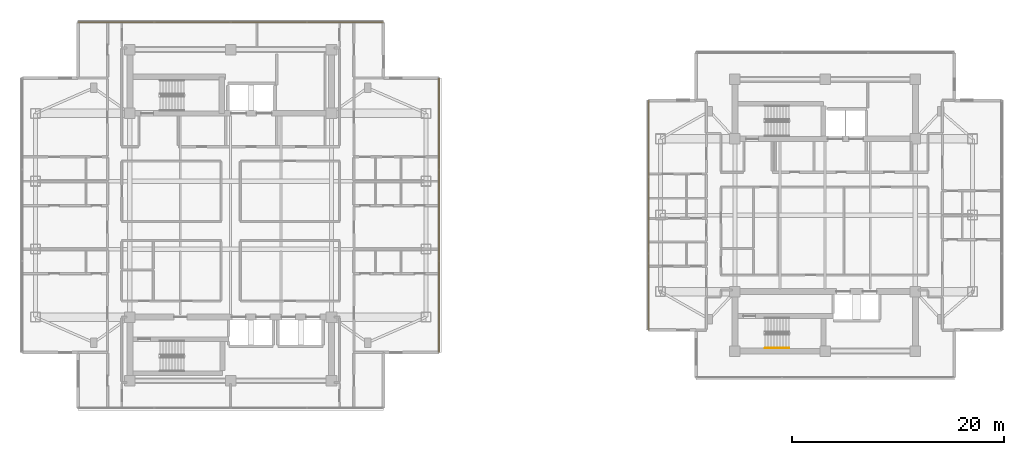
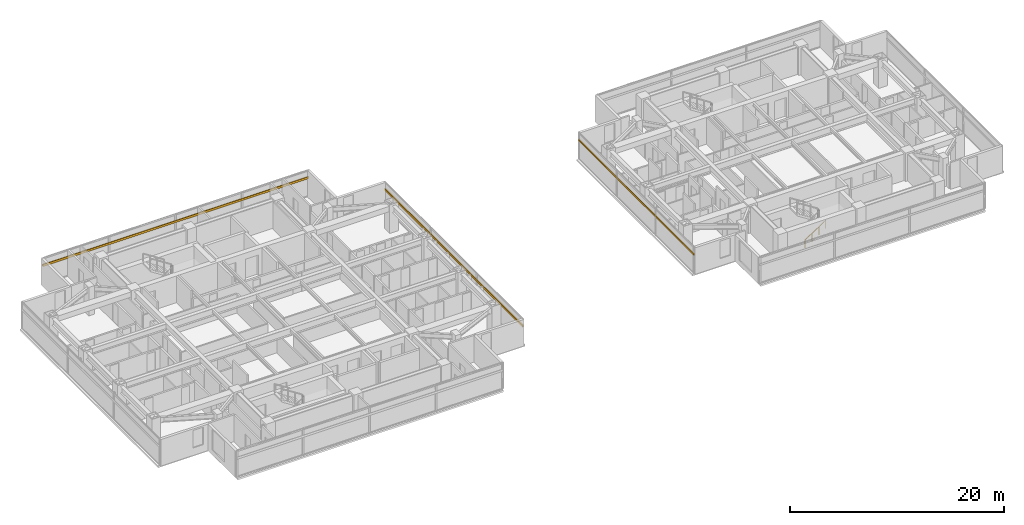
# One storey, part 22 of 24: 3 shading devices, 1 railing.
"""IFC4 building model written with IfcOpenShell, lengths in metres."""

import ifcopenshell
import ifcopenshell.guid

model = None  # the IFC model being written
_history = None  # IfcOwnerHistory: only IFC2X3 demands one
_inside = {}  # id of a spatial element -> (the spatial element, [elements in it])
_under = {}  # id of a project, library or spatial element -> (it, [spatial elements below it])
_declared = {}  # id of a project -> (the project, [libraries it declares])
_typed = {}  # id of a type object -> (the type object, [elements of that type])
_made_of = {}  # id of a material, layer set ... -> (it, [elements and type objects made of it])


def new_model(schema):
    """Start an empty IFC model of exactly this schema.

    Asked for "IFC4X3", IfcOpenShell would pick the latest addendum, in which some entities
    have other attributes; the version numbers below select the first issue.
    IFC2X3 requires an IfcOwnerHistory on every rooted entity: one is made here for all.
    """
    global model, _history
    if schema == "IFC4X3":
        model = ifcopenshell.file(schema_version=(4, 3, 0, 0))
    else:
        model = ifcopenshell.file(schema=schema)
    _inside.clear()
    _under.clear()
    _declared.clear()
    _typed.clear()
    _made_of.clear()
    _history = None
    if model.schema == "IFC2X3":
        org = make("IfcOrganization", Name="unknown")
        user = make(
            "IfcPersonAndOrganization",
            ThePerson=make("IfcPerson", FamilyName="unknown"),
            TheOrganization=org,
        )
        app = make(
            "IfcApplication",
            ApplicationDeveloper=org,
            Version="unknown",
            ApplicationFullName="unknown",
            ApplicationIdentifier="unknown",
        )
        _history = make(
            "IfcOwnerHistory",
            OwningUser=user,
            OwningApplication=app,
            ChangeAction="ADDED",
            CreationDate=0,
        )
    return model


def make(cls, **values):
    """One entity of the class cls with the attributes given. An attribute that is None is left unset."""
    return model.create_entity(
        cls, **{name: value for name, value in values.items() if value is not None}
    )


def rooted(cls, **values):
    """An entity with a GlobalId (a new one), such as an element, a storey or a relation."""
    return make(cls, GlobalId=ifcopenshell.guid.new(), OwnerHistory=_history, **values)


def si_unit(unit_type, name, prefix=None):
    """IfcSIUnit, for example si_unit("LENGTHUNIT", "METRE", prefix="MILLI")."""
    return make("IfcSIUnit", UnitType=unit_type, Prefix=prefix, Name=name)


def assignment(units):
    """IfcUnitAssignment: the units of a project."""
    return None if units is None else make("IfcUnitAssignment", Units=units)


def point(xyz):
    """IfcCartesianPoint."""
    return None if xyz is None else make("IfcCartesianPoint", Coordinates=xyz)


def direction(xyz):
    """IfcDirection."""
    return None if xyz is None else make("IfcDirection", DirectionRatios=xyz)


def frame(location, z_axis=None, x_axis=None):
    """IfcAxis2Placement3D, a coordinate frame: its origin and axes. An axis left out is left unset."""
    return make(
        "IfcAxis2Placement3D",
        Location=point(location),
        Axis=direction(z_axis),
        RefDirection=direction(x_axis),
    )


def frame_2d(location, x_axis=None):
    """IfcAxis2Placement2D, a coordinate frame in the plane: its origin and x axis."""
    return make(
        "IfcAxis2Placement2D", Location=point(location), RefDirection=direction(x_axis)
    )


def origin():
    """The frame at (0, 0, 0) with its axes left unset."""
    return frame((0.0, 0.0, 0.0))


def origin_2d():
    """The frame at (0, 0) in the plane with its x axis left unset."""
    return frame_2d((0.0, 0.0))


def place(relative_to, where):
    """IfcLocalPlacement: puts the frame where relative to a parent placement (None: the world)."""
    return make(
        "IfcLocalPlacement", PlacementRelTo=relative_to, RelativePlacement=where
    )


def context(
    kind, dimensions, precision=None, world=None, true_north=None, identifier=None
):
    """IfcGeometricRepresentationContext, for example the 3D "Model" context."""
    return make(
        "IfcGeometricRepresentationContext",
        ContextIdentifier=identifier,
        ContextType=kind,
        CoordinateSpaceDimension=dimensions,
        Precision=precision,
        WorldCoordinateSystem=world,
        TrueNorth=true_north,
    )


def subcontext(parent, identifier, kind, view, scale=None):
    """IfcGeometricRepresentationSubContext, for example "Body" below "Model"."""
    return make(
        "IfcGeometricRepresentationSubContext",
        ContextIdentifier=identifier,
        ContextType=kind,
        ParentContext=parent,
        TargetScale=scale,
        TargetView=view,
    )


def project(units=None, contexts=None):
    """IfcProject with its units and contexts."""
    return rooted(
        "IfcProject",
        Name="project",
        RepresentationContexts=contexts,
        UnitsInContext=assignment(units),
    )


def spatial(cls, under=None, at=None, **own):
    """A site, building, storey or space (cls), placed at a placement, below another one or the project."""
    s = rooted(cls, ObjectPlacement=at, **own)
    if under is not None:
        _under.setdefault(under.id(), (under, []))[1].append(s)
    return s


def profile(cls, at=None, kind="AREA", **sizes):
    """A parametric profile (cls). Its sizes go by their IFC names, for example OverallWidth=200.0."""
    return make(cls, ProfileType=kind, Position=at, **sizes)


def rectangle(**sizes):
    """IfcRectangleProfileDef."""
    return profile("IfcRectangleProfileDef", **sizes)


def circle(**sizes):
    """IfcCircleProfileDef."""
    return profile("IfcCircleProfileDef", **sizes)


def extrude(swept, where, along, depth):
    """IfcExtrudedAreaSolid: the profile swept, set in the frame where, extruded along a direction by depth."""
    return make(
        "IfcExtrudedAreaSolid",
        SweptArea=swept,
        Position=where,
        ExtrudedDirection=direction(along),
        Depth=depth,
    )


def shape(context_of_items, identifier, shape_type, items):
    """IfcShapeRepresentation: the items that make up one representation, for example the "Body"."""
    return make(
        "IfcShapeRepresentation",
        ContextOfItems=context_of_items,
        RepresentationIdentifier=identifier,
        RepresentationType=shape_type,
        Items=items,
    )


def material(Name=None, Category=None):
    """IfcMaterial."""
    return make("IfcMaterial", Name=Name, Category=Category)


def material_profile(
    of_material, cross_section, Name=None, Category=None, Priority=None
):
    """IfcMaterialProfile: a cross section and its material."""
    return make(
        "IfcMaterialProfile",
        Name=Name,
        Material=of_material,
        Profile=cross_section,
        Priority=Priority,
        Category=Category,
    )


def profile_set(profiles, Name=None, composite=None):
    """IfcMaterialProfileSet."""
    return make(
        "IfcMaterialProfileSet",
        Name=Name,
        MaterialProfiles=profiles,
        CompositeProfile=composite,
    )


def made_of(thing, what):
    """Note that an element or type object is made of a material, layer set ...; save() writes the relation."""
    if what is not None:
        _made_of.setdefault(what.id(), (what, []))[1].append(thing)
    return thing


def type_object(cls, material=None, **own):
    """A type object (cls), such as IfcWallType, which elements share."""
    return made_of(rooted(cls, **own), material)


def element(
    cls,
    number,
    at=None,
    inside=None,
    cuts=None,
    type_object=None,
    material=None,
    context=None,
    identifier="Body",
    shape_type=None,
    held_by="IfcProductDefinitionShape",
    body=None,
    shapes=None,
    **own,
):
    """One element of the class cls, such as IfcWall. Its Tag is "e" and its number.

    at: its placement. inside: the storey or other place that contains it. cuts: it is an
    opening in that element (IfcRelVoidsElement). A single representation is given by context,
    identifier, shape_type and body (its items); several are given by shapes. held_by: the class
    of the entity that holds the representations. save() writes the other relations.
    """
    e = rooted(cls, Tag="e%d" % number, ObjectPlacement=at, **own)
    if body is not None:
        shapes = [shape(context, identifier, shape_type, body)]
    if shapes is not None:
        e.Representation = make(held_by, Representations=shapes)
    if inside is not None:
        _inside.setdefault(inside.id(), (inside, []))[1].append(e)
    if cuts is not None:
        rooted(
            "IfcRelVoidsElement", RelatingBuildingElement=cuts, RelatedOpeningElement=e
        )
    if type_object is not None:
        _typed.setdefault(type_object.id(), (type_object, []))[1].append(e)
    return made_of(e, material)


def aggregate(whole, parts):
    """IfcRelAggregates: a whole, such as a stair, and the parts it consists of."""
    return rooted("IfcRelAggregates", RelatingObject=whole, RelatedObjects=parts)


def save(model, path):
    """Write the relations noted so far, then the file.

    IfcRelAggregates (storeys below a building ...), IfcRelContainedInSpatialStructure (elements
    in a storey), IfcRelDefinesByType, IfcRelAssociatesMaterial and IfcRelDeclares: one each for
    every whole, place, type object, material and project.
    """
    for whole, parts in _under.values():
        aggregate(whole, parts)
    for where, things in _inside.values():
        rooted(
            "IfcRelContainedInSpatialStructure",
            RelatedElements=things,
            RelatingStructure=where,
        )
    for kind, things in _typed.values():
        rooted("IfcRelDefinesByType", RelatedObjects=things, RelatingType=kind)
    for what, things in _made_of.values():
        rooted("IfcRelAssociatesMaterial", RelatedObjects=things, RelatingMaterial=what)
    for by, libraries in _declared.values():
        rooted("IfcRelDeclares", RelatingContext=by, RelatedDefinitions=libraries)
    model.write(path)


model = new_model("IFC4")

# Units and contexts
model_context = context("Model", 3, precision=1e-05, world=origin(), true_north=direction((0.0, 1.0)))
body_context = subcontext(model_context, "Body", "Model", "MODEL_VIEW")
ifc_project = project(units=[si_unit("LENGTHUNIT", "METRE"), si_unit("AREAUNIT", "SQUARE_METRE"), si_unit("VOLUMEUNIT", "CUBIC_METRE"), si_unit("PLANEANGLEUNIT", "RADIAN"), si_unit("MASSUNIT", "GRAM", prefix="KILO")], contexts=[model_context])

# Site, building, storey
site_placement = place(None, origin())
site = spatial("IfcSite", under=ifc_project, at=site_placement, CompositionType="ELEMENT")
building_placement = place(site_placement, origin())
building = spatial("IfcBuilding", under=site, at=building_placement, Name="Mirazonda Arch Towers", CompositionType="ELEMENT")
storey_placement = place(building_placement, frame((0.0, 0.0, 154.39990234375)))
storey = spatial("IfcBuildingStorey", under=building, at=storey_placement, Name="L43", CompositionType="ELEMENT", Elevation=154.39990234375)

# Shading devices
ifc_material_1 = material(Name="Kiln-Fired Architectural Terracotta", Category="masonry")
ifc_material_profile_1 = material_profile(ifc_material_1, rectangle(XDim=0.1201171875, YDim=0.239990234375, at=origin_2d()), Name="TERRA-BAG-120x240")
ifc_profile_set_1 = profile_set([ifc_material_profile_1], Name="Kiln-Fired Architectural Terracotta")
shading_device_type_1 = type_object("IfcShadingDeviceType", Name="BAGUETTE-1", PredefinedType="USERDEFINED", material=ifc_profile_set_1)
shading_device_1_placement = place(storey_placement, frame((40.1298828125, 15.074951171875, 2.181640625), z_axis=(0.0, 1.0, 0.0), x_axis=(-1.0, 0.0, 0.0)))
element("IfcShadingDevice", 1, at=shading_device_1_placement, inside=storey, type_object=shading_device_type_1, Name="L43 Glazed Terracotta Sun-Screen Baguette CW-L43-T1-E", ObjectType="BAGUETTE", PredefinedType="USERDEFINED", context=body_context, shape_type="SweptSolid", body=[
    extrude(rectangle(XDim=0.1201171875, YDim=0.239990234375, at=origin_2d()), origin(), (0.0, 0.0, 1.0), 25.85009765625),
])
shading_device_2_placement = place(storey_placement, frame((6.114990234375, 46.169921875, 2.181640625), z_axis=(1.0, 0.0, 0.0), x_axis=(0.0, 1.0, 0.0)))
element("IfcShadingDevice", 2, at=shading_device_2_placement, inside=storey, type_object=shading_device_type_1, Name="L43 Glazed Terracotta Sun-Screen Baguette CW-L43-T1-N", ObjectType="BAGUETTE", PredefinedType="USERDEFINED", context=body_context, shape_type="SweptSolid", body=[
    extrude(rectangle(XDim=0.1201171875, YDim=0.239990234375, at=origin_2d()), origin(), (0.0, 0.0, 1.0), 28.77001953125),
])
ifc_material_profile_2 = material_profile(ifc_material_1, rectangle(XDim=0.10009765625, YDim=0.199951171875, at=origin_2d()), Name="TERRA-BAG-100x200")
ifc_profile_set_2 = profile_set([ifc_material_profile_2], Name="Kiln-Fired Architectural Terracotta")
shading_device_type_2 = type_object("IfcShadingDeviceType", Name="BAGUETTE-2", PredefinedType="USERDEFINED", material=ifc_profile_set_2)
shading_device_3_placement = place(storey_placement, frame((59.867431640625, 38.826416015625, 2.181640625), z_axis=(0.0, -1.0, 0.0), x_axis=(1.0, 0.0, 0.0)))
element("IfcShadingDevice", 3, at=shading_device_3_placement, inside=storey, type_object=shading_device_type_2, Name="L43 Glazed Terracotta Sun-Screen Baguette CW-L43-T2-W", ObjectType="BAGUETTE", PredefinedType="USERDEFINED", context=body_context, shape_type="SweptSolid", body=[
    extrude(rectangle(XDim=0.10009765625, YDim=0.199951171875, at=origin_2d()), origin(), (0.0, 0.0, 1.0), 21.65283203125),
])

# Railing
ifc_material_2 = material(Name="Architectural Brushed Steel S355", Category="steel")
railing_type = type_object("IfcRailingType", Name="HANDRAIL-915", PredefinedType="HANDRAIL", material=ifc_material_2)
railing_placement = place(storey_placement, frame((70.85009765625, 15.469970703125, 0.1806640625)))
element("IfcRailing", 4, at=railing_placement, inside=storey, type_object=railing_type, Name="L43 ST-T2S stair handrail 1", PredefinedType="HANDRAIL", context=body_context, shape_type="SweptSolid", body=[
    extrude(circle(Radius=0.02392578125, at=origin_2d()), frame((0.0, 0.0, 0.8759765625), z_axis=(0.840436612492, 0.0, 0.541909863706), x_axis=(0.0, 1.0, 0.0)), (0.0, 0.0, 1.0), 2.665283203125),
    extrude(circle(Radius=0.02099609375, at=origin_2d()), origin(), (0.0, 0.0, 1.0), 0.851806640625),
    extrude(circle(Radius=0.02099609375, at=origin_2d()), frame((0.74658203125, 0.0, 0.4814453125)), (0.0, 0.0, 1.0), 0.851806640625),
    extrude(circle(Radius=0.02099609375, at=origin_2d()), frame((1.493408203125, 0.0, 0.962890625)), (0.0, 0.0, 1.0), 0.851806640625),
    extrude(circle(Radius=0.02099609375, at=origin_2d()), frame((2.239990234375, 0.0, 1.4443359375)), (0.0, 0.0, 1.0), 0.851806640625),
])

save(model, "model.ifc")
